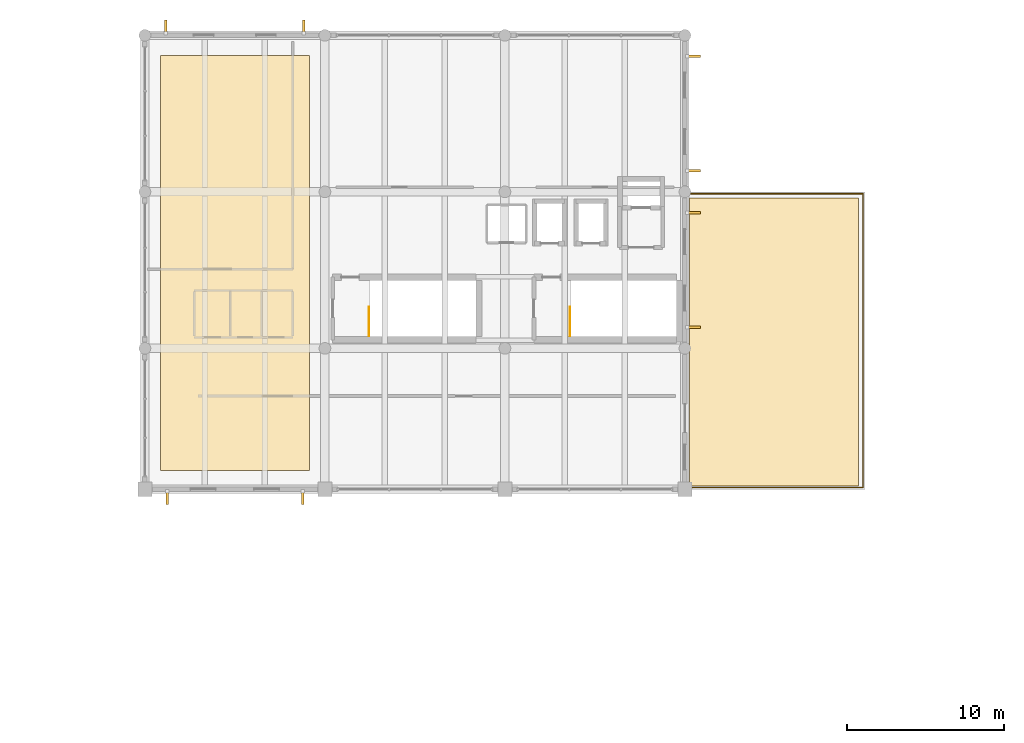
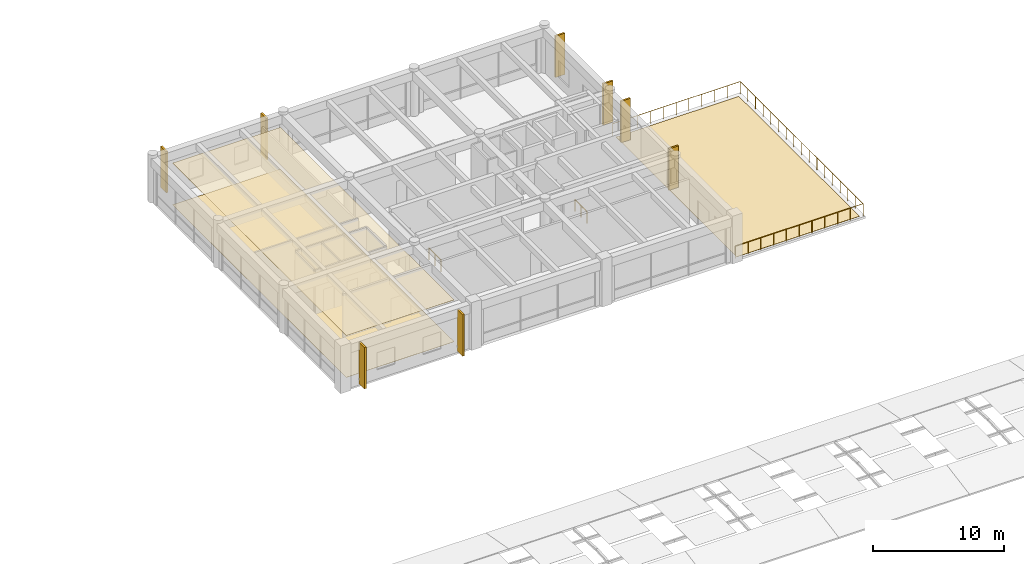
# One storey, part 27 of 27: 8 shading devices, 3 coverings, 3 railings.
"""IFC4 building model written with IfcOpenShell, lengths in metres."""

import ifcopenshell
import ifcopenshell.guid

model = None  # the IFC model being written
_history = None  # IfcOwnerHistory: only IFC2X3 demands one
_inside = {}  # id of a spatial element -> (the spatial element, [elements in it])
_under = {}  # id of a project, library or spatial element -> (it, [spatial elements below it])
_declared = {}  # id of a project -> (the project, [libraries it declares])
_typed = {}  # id of a type object -> (the type object, [elements of that type])
_made_of = {}  # id of a material, layer set ... -> (it, [elements and type objects made of it])


def new_model(schema):
    """Start an empty IFC model of exactly this schema.

    Asked for "IFC4X3", IfcOpenShell would pick the latest addendum, in which some entities
    have other attributes; the version numbers below select the first issue.
    IFC2X3 requires an IfcOwnerHistory on every rooted entity: one is made here for all.
    """
    global model, _history
    if schema == "IFC4X3":
        model = ifcopenshell.file(schema_version=(4, 3, 0, 0))
    else:
        model = ifcopenshell.file(schema=schema)
    _inside.clear()
    _under.clear()
    _declared.clear()
    _typed.clear()
    _made_of.clear()
    _history = None
    if model.schema == "IFC2X3":
        org = make("IfcOrganization", Name="unknown")
        user = make(
            "IfcPersonAndOrganization",
            ThePerson=make("IfcPerson", FamilyName="unknown"),
            TheOrganization=org,
        )
        app = make(
            "IfcApplication",
            ApplicationDeveloper=org,
            Version="unknown",
            ApplicationFullName="unknown",
            ApplicationIdentifier="unknown",
        )
        _history = make(
            "IfcOwnerHistory",
            OwningUser=user,
            OwningApplication=app,
            ChangeAction="ADDED",
            CreationDate=0,
        )
    return model


def make(cls, **values):
    """One entity of the class cls with the attributes given. An attribute that is None is left unset."""
    return model.create_entity(
        cls, **{name: value for name, value in values.items() if value is not None}
    )


def rooted(cls, **values):
    """An entity with a GlobalId (a new one), such as an element, a storey or a relation."""
    return make(cls, GlobalId=ifcopenshell.guid.new(), OwnerHistory=_history, **values)


def si_unit(unit_type, name, prefix=None):
    """IfcSIUnit, for example si_unit("LENGTHUNIT", "METRE", prefix="MILLI")."""
    return make("IfcSIUnit", UnitType=unit_type, Prefix=prefix, Name=name)


def assignment(units):
    """IfcUnitAssignment: the units of a project."""
    return None if units is None else make("IfcUnitAssignment", Units=units)


def point(xyz):
    """IfcCartesianPoint."""
    return None if xyz is None else make("IfcCartesianPoint", Coordinates=xyz)


def direction(xyz):
    """IfcDirection."""
    return None if xyz is None else make("IfcDirection", DirectionRatios=xyz)


def frame(location, z_axis=None, x_axis=None):
    """IfcAxis2Placement3D, a coordinate frame: its origin and axes. An axis left out is left unset."""
    return make(
        "IfcAxis2Placement3D",
        Location=point(location),
        Axis=direction(z_axis),
        RefDirection=direction(x_axis),
    )


def frame_2d(location, x_axis=None):
    """IfcAxis2Placement2D, a coordinate frame in the plane: its origin and x axis."""
    return make(
        "IfcAxis2Placement2D", Location=point(location), RefDirection=direction(x_axis)
    )


def origin():
    """The frame at (0, 0, 0) with its axes left unset."""
    return frame((0.0, 0.0, 0.0))


def origin_2d():
    """The frame at (0, 0) in the plane with its x axis left unset."""
    return frame_2d((0.0, 0.0))


def place(relative_to, where):
    """IfcLocalPlacement: puts the frame where relative to a parent placement (None: the world)."""
    return make(
        "IfcLocalPlacement", PlacementRelTo=relative_to, RelativePlacement=where
    )


def context(
    kind, dimensions, precision=None, world=None, true_north=None, identifier=None
):
    """IfcGeometricRepresentationContext, for example the 3D "Model" context."""
    return make(
        "IfcGeometricRepresentationContext",
        ContextIdentifier=identifier,
        ContextType=kind,
        CoordinateSpaceDimension=dimensions,
        Precision=precision,
        WorldCoordinateSystem=world,
        TrueNorth=true_north,
    )


def subcontext(parent, identifier, kind, view, scale=None):
    """IfcGeometricRepresentationSubContext, for example "Body" below "Model"."""
    return make(
        "IfcGeometricRepresentationSubContext",
        ContextIdentifier=identifier,
        ContextType=kind,
        ParentContext=parent,
        TargetScale=scale,
        TargetView=view,
    )


def project(units=None, contexts=None):
    """IfcProject with its units and contexts."""
    return rooted(
        "IfcProject",
        Name="project",
        RepresentationContexts=contexts,
        UnitsInContext=assignment(units),
    )


def spatial(cls, under=None, at=None, **own):
    """A site, building, storey or space (cls), placed at a placement, below another one or the project."""
    s = rooted(cls, ObjectPlacement=at, **own)
    if under is not None:
        _under.setdefault(under.id(), (under, []))[1].append(s)
    return s


def polyline(points):
    """IfcPolyline through the points."""
    return make("IfcPolyline", Points=[point(p) for p in points])


def profile(cls, at=None, kind="AREA", **sizes):
    """A parametric profile (cls). Its sizes go by their IFC names, for example OverallWidth=200.0."""
    return make(cls, ProfileType=kind, Position=at, **sizes)


def rectangle(**sizes):
    """IfcRectangleProfileDef."""
    return profile("IfcRectangleProfileDef", **sizes)


def circle(**sizes):
    """IfcCircleProfileDef."""
    return profile("IfcCircleProfileDef", **sizes)


def outline(outer, holes=None, kind="AREA"):
    """IfcArbitraryClosedProfileDef: a profile drawn as a closed curve; with holes, ...WithVoids."""
    if holes is None:
        return make("IfcArbitraryClosedProfileDef", ProfileType=kind, OuterCurve=outer)
    return make(
        "IfcArbitraryProfileDefWithVoids",
        ProfileType=kind,
        OuterCurve=outer,
        InnerCurves=holes,
    )


def extrude(swept, where, along, depth):
    """IfcExtrudedAreaSolid: the profile swept, set in the frame where, extruded along a direction by depth."""
    return make(
        "IfcExtrudedAreaSolid",
        SweptArea=swept,
        Position=where,
        ExtrudedDirection=direction(along),
        Depth=depth,
    )


def shape(context_of_items, identifier, shape_type, items):
    """IfcShapeRepresentation: the items that make up one representation, for example the "Body"."""
    return make(
        "IfcShapeRepresentation",
        ContextOfItems=context_of_items,
        RepresentationIdentifier=identifier,
        RepresentationType=shape_type,
        Items=items,
    )


def material(Name=None, Category=None):
    """IfcMaterial."""
    return make("IfcMaterial", Name=Name, Category=Category)


def layer(
    of_material, thickness, ventilated=None, Name=None, Category=None, Priority=None
):
    """IfcMaterialLayer: one layer of a wall or slab, of a material (None: an air gap)."""
    return make(
        "IfcMaterialLayer",
        Material=of_material,
        LayerThickness=thickness,
        IsVentilated=ventilated,
        Name=Name,
        Category=Category,
        Priority=Priority,
    )


def layer_set(layers, Name=None):
    """IfcMaterialLayerSet."""
    return make("IfcMaterialLayerSet", MaterialLayers=layers, LayerSetName=Name)


def made_of(thing, what):
    """Note that an element or type object is made of a material, layer set ...; save() writes the relation."""
    if what is not None:
        _made_of.setdefault(what.id(), (what, []))[1].append(thing)
    return thing


def type_object(cls, material=None, **own):
    """A type object (cls), such as IfcWallType, which elements share."""
    return made_of(rooted(cls, **own), material)


def element(
    cls,
    number,
    at=None,
    inside=None,
    cuts=None,
    type_object=None,
    material=None,
    context=None,
    identifier="Body",
    shape_type=None,
    held_by="IfcProductDefinitionShape",
    body=None,
    shapes=None,
    **own,
):
    """One element of the class cls, such as IfcWall. Its Tag is "e" and its number.

    at: its placement. inside: the storey or other place that contains it. cuts: it is an
    opening in that element (IfcRelVoidsElement). A single representation is given by context,
    identifier, shape_type and body (its items); several are given by shapes. held_by: the class
    of the entity that holds the representations. save() writes the other relations.
    """
    e = rooted(cls, Tag="e%d" % number, ObjectPlacement=at, **own)
    if body is not None:
        shapes = [shape(context, identifier, shape_type, body)]
    if shapes is not None:
        e.Representation = make(held_by, Representations=shapes)
    if inside is not None:
        _inside.setdefault(inside.id(), (inside, []))[1].append(e)
    if cuts is not None:
        rooted(
            "IfcRelVoidsElement", RelatingBuildingElement=cuts, RelatedOpeningElement=e
        )
    if type_object is not None:
        _typed.setdefault(type_object.id(), (type_object, []))[1].append(e)
    return made_of(e, material)


def aggregate(whole, parts):
    """IfcRelAggregates: a whole, such as a stair, and the parts it consists of."""
    return rooted("IfcRelAggregates", RelatingObject=whole, RelatedObjects=parts)


def save(model, path):
    """Write the relations noted so far, then the file.

    IfcRelAggregates (storeys below a building ...), IfcRelContainedInSpatialStructure (elements
    in a storey), IfcRelDefinesByType, IfcRelAssociatesMaterial and IfcRelDeclares: one each for
    every whole, place, type object, material and project.
    """
    for whole, parts in _under.values():
        aggregate(whole, parts)
    for where, things in _inside.values():
        rooted(
            "IfcRelContainedInSpatialStructure",
            RelatedElements=things,
            RelatingStructure=where,
        )
    for kind, things in _typed.values():
        rooted("IfcRelDefinesByType", RelatedObjects=things, RelatingType=kind)
    for what, things in _made_of.values():
        rooted("IfcRelAssociatesMaterial", RelatedObjects=things, RelatingMaterial=what)
    for by, libraries in _declared.values():
        rooted("IfcRelDeclares", RelatingContext=by, RelatedDefinitions=libraries)
    model.write(path)


model = new_model("IFC4")

# Units and contexts
model_context = context("Model", 3, precision=1e-05, world=origin(), true_north=direction((0.0, 1.0)))
body_context = subcontext(model_context, "Body", "Model", "MODEL_VIEW")
ifc_project = project(units=[si_unit("LENGTHUNIT", "METRE"), si_unit("AREAUNIT", "SQUARE_METRE"), si_unit("VOLUMEUNIT", "CUBIC_METRE"), si_unit("PLANEANGLEUNIT", "RADIAN"), si_unit("MASSUNIT", "GRAM", prefix="KILO")], contexts=[model_context])

# Site, building, storey
site_placement = place(None, origin())
site = spatial("IfcSite", under=ifc_project, at=site_placement, CompositionType="ELEMENT")
building_placement = place(site_placement, origin())
building = spatial("IfcBuilding", under=site, at=building_placement, Name="Ologun Quay Terminus", CompositionType="ELEMENT")
storey_placement = place(building_placement, frame((0.0, 0.0, 22.4599609375)))
storey = spatial("IfcBuildingStorey", under=building, at=storey_placement, Name="L05", CompositionType="ELEMENT", Elevation=22.4599609375)

# Covering
ifc_material_1 = material(Name="Gypsum Acoustic Stud")
ifc_layer_1 = layer(ifc_material_1, 0.02001953125)
ifc_layer_set_1 = layer_set([ifc_layer_1], Name="Gypsum Acoustic Stud")
covering_type_1 = type_object("IfcCoveringType", Name="Mineral-Fibre Acoustic Suspended Ceiling 20", PredefinedType="CEILING", material=ifc_layer_set_1)
covering_1_placement = place(storey_placement, frame((0.0, 0.0, 3.89013671875)))
element("IfcCovering", 1, at=covering_1_placement, inside=storey, type_object=covering_type_1, Name="CV-CL2 Acoustic Ceiling 12", PredefinedType="CEILING", context=body_context, shape_type="SweptSolid", body=[
    extrude(outline(polyline([(116.0, 87.0), (125.5, 87.0), (125.5, 113.5), (116.0, 113.5), (116.0, 87.0)])), origin(), (0.0, 0.0, 1.0), 0.02001953125),
])

# Shading devices
ifc_material_2 = material(Name="Concrete C40/50", Category="concrete")
ifc_layer_2 = layer(ifc_material_2, 0.159912109375)
ifc_layer_set_2 = layer_set([ifc_layer_2], Name="Concrete C40/50")
shading_device_type = type_object("IfcShadingDeviceType", Name="Operations Angled Precast Solar Fin 850x160", PredefinedType="USERDEFINED", material=ifc_layer_set_2)
for number, where, z_axis, x_axis, name in (
    (2, (116.419921875, 85.2451171875, 0.14990234375), (0.0, 0.0, 1.0), (1.0, 0.0, 0.0), "SD-05 Vertical Solar Fin WEW-EW-L05-1-1"),
    (3, (125.080078125, 85.2451171875, 0.14990234375), (0.0, 0.0, 1.0), (1.0, 0.0, 0.0), "SD-05 Vertical Solar Fin WEW-EW-L05-1-2"),
):
    element("IfcShadingDevice", number, at=place(storey_placement, frame(where, z_axis=z_axis, x_axis=x_axis)), inside=storey, type_object=shading_device_type, Name=name, ObjectType="SOLAR FIN", PredefinedType="USERDEFINED", context=body_context, shape_type="SweptSolid", body=[
        extrude(rectangle(XDim=0.159912109375, YDim=0.85009765625, at=origin_2d()), origin(), (0.0, 0.0, 1.0), 3.85009765625),
    ])
for number, where, z_axis, x_axis, name in (
    (4, (150.054931640625, 96.14501953125, 0.14990234375), (0.0, 0.0, 1.0), (1.0, 0.0, 0.0), "SD-05 Vertical Solar Fin WEW-EW-L05-5-1"),
    (5, (150.054931640625, 103.455078125, 0.14990234375), (0.0, 0.0, 1.0), (1.0, 0.0, 0.0), "SD-05 Vertical Solar Fin WEW-EW-L05-5-2"),
    (6, (150.054931640625, 106.14501953125, 0.14990234375), (0.0, 0.0, 1.0), (1.0, 0.0, 0.0), "SD-05 Vertical Solar Fin WEW-EW-L05-6-1"),
    (7, (150.054931640625, 113.455078125, 0.14990234375), (0.0, 0.0, 1.0), (1.0, 0.0, 0.0), "SD-05 Vertical Solar Fin WEW-EW-L05-6-2"),
):
    element("IfcShadingDevice", number, at=place(storey_placement, frame(where, z_axis=z_axis, x_axis=x_axis)), inside=storey, type_object=shading_device_type, Name=name, ObjectType="SOLAR FIN", PredefinedType="USERDEFINED", context=body_context, shape_type="SweptSolid", body=[
        extrude(rectangle(XDim=0.85009765625, YDim=0.159912109375, at=origin_2d()), origin(), (0.0, 0.0, 1.0), 3.85009765625),
    ])
for number, where, z_axis, x_axis, name in (
    (8, (116.344970703125, 115.35498046875, 0.14990234375), (0.0, 0.0, 1.0), (1.0, 0.0, 0.0), "SD-05 Vertical Solar Fin WEW-EW-L05-7-1"),
    (9, (125.155029296875, 115.35498046875, 0.14990234375), (0.0, 0.0, 1.0), (1.0, 0.0, 0.0), "SD-05 Vertical Solar Fin WEW-EW-L05-7-2"),
):
    element("IfcShadingDevice", number, at=place(storey_placement, frame(where, z_axis=z_axis, x_axis=x_axis)), inside=storey, type_object=shading_device_type, Name=name, ObjectType="SOLAR FIN", PredefinedType="USERDEFINED", context=body_context, shape_type="SweptSolid", body=[
        extrude(rectangle(XDim=0.159912109375, YDim=0.85009765625, at=origin_2d()), origin(), (0.0, 0.0, 1.0), 3.85009765625),
    ])

# Covering
ifc_material_3 = material(Name="Porcelain Tile")
ifc_layer_3 = layer(ifc_material_3, 0.02197265625)
ifc_layer_set_3 = layer_set([ifc_layer_3], Name="Porcelain Tile")
covering_type_2 = type_object("IfcCoveringType", Name="Porcelain Tile Pavilion & Sanitary Flooring 22", PredefinedType="FLOORING", material=ifc_layer_set_3)
covering_2_placement = place(storey_placement, origin())
element("IfcCovering", 10, at=covering_2_placement, inside=storey, type_object=covering_type_2, Name="CV-FL2 Interior Flooring 16", PredefinedType="FLOORING", context=body_context, shape_type="SweptSolid", body=[
    extrude(outline(polyline([(116.0, 87.0), (125.5, 87.0), (125.5, 113.5), (116.0, 113.5), (116.0, 87.0)])), origin(), (0.0, 0.0, 1.0), 0.02197265625),
])

# Railings
ifc_material_4 = material(Name="Steel S355", Category="steel")
railing_type_1 = type_object("IfcRailingType", Name="Stair & Landing Steel Guardrail 1100", PredefinedType="GUARDRAIL", material=ifc_material_4)
for number, where, name in (
    (11, (129.31005859375, 97.43994140625, 0.0), "GR-ST Stair Floor Edge Guard ST-E1 L05"),
    (12, (142.159912109375, 97.43994140625, 0.0), "GR-ST Stair Floor Edge Guard ST-E2 L05"),
):
    element("IfcRailing", number, at=place(storey_placement, frame(where)), inside=storey, type_object=railing_type_1, Name=name, PredefinedType="GUARDRAIL", context=body_context, shape_type="SweptSolid", body=[
        extrude(circle(Radius=0.02392578125, at=origin_2d()), frame((0.0, 0.0, 1.076171875), z_axis=(0.0, -1.0, 0.0), x_axis=(1.0, 0.0, 0.0)), (0.0, 0.0, 1.0), 1.829833984375),
        extrude(circle(Radius=0.02099609375, at=origin_2d()), origin(), (0.0, 0.0, 1.0), 1.052001953125),
        extrude(circle(Radius=0.02099609375, at=origin_2d()), frame((0.0, -0.9150390625, 0.0)), (0.0, 0.0, 1.0), 1.052001953125),
        extrude(circle(Radius=0.02099609375, at=origin_2d()), frame((0.0, -1.829833984375, 0.0)), (0.0, 0.0, 1.0), 1.052001953125),
    ])
ifc_material_5 = material(Name="Steel S355", Category="steel")
railing_type_2 = type_object("IfcRailingType", Name="Terrace & Quay Perimeter Guardrail 1150", PredefinedType="GUARDRAIL", material=ifc_material_5)
railing_placement = place(storey_placement, frame((149.6201171875, 85.919921875, 0.0)))
element("IfcRailing", 13, at=railing_placement, inside=storey, type_object=railing_type_2, Name="GR-TR Operations Staff Roof Terrace Guardrail L05", PredefinedType="GUARDRAIL", context=body_context, shape_type="SweptSolid", body=[
    extrude(circle(Radius=0.02392578125, at=origin_2d()), frame((0.0, 0.0, 1.1259765625), z_axis=(1.0, 0.0, 0.0), x_axis=(0.0, 1.0, 0.0)), (0.0, 0.0, 1.0), 11.259765625),
    extrude(circle(Radius=0.02392578125, at=origin_2d()), frame((11.259765625, 0.0, 1.1259765625), z_axis=(0.0, 1.0, 0.0), x_axis=(-1.0, 0.0, 0.0)), (0.0, 0.0, 1.0), 18.760009765625),
    extrude(circle(Radius=0.02392578125, at=origin_2d()), frame((11.259765625, 18.760009765625, 1.1259765625), z_axis=(-1.0, 0.0, 0.0), x_axis=(0.0, -1.0, 0.0)), (0.0, 0.0, 1.0), 11.259765625),
    extrude(circle(Radius=0.02099609375, at=origin_2d()), origin(), (0.0, 0.0, 1.0), 1.101806640625),
    extrude(circle(Radius=0.02099609375, at=origin_2d()), frame((1.1259765625, 0.0, 0.0)), (0.0, 0.0, 1.0), 1.101806640625),
    extrude(circle(Radius=0.02099609375, at=origin_2d()), frame((2.251953125, 0.0, 0.0)), (0.0, 0.0, 1.0), 1.101806640625),
    extrude(circle(Radius=0.02099609375, at=origin_2d()), frame((3.3779296875, 0.0, 0.0)), (0.0, 0.0, 1.0), 1.101806640625),
    extrude(circle(Radius=0.02099609375, at=origin_2d()), frame((4.50390625, 0.0, 0.0)), (0.0, 0.0, 1.0), 1.101806640625),
    extrude(circle(Radius=0.02099609375, at=origin_2d()), frame((5.6298828125, 0.0, 0.0)), (0.0, 0.0, 1.0), 1.101806640625),
    extrude(circle(Radius=0.02099609375, at=origin_2d()), frame((6.755859375, 0.0, 0.0)), (0.0, 0.0, 1.0), 1.101806640625),
    extrude(circle(Radius=0.02099609375, at=origin_2d()), frame((7.8818359375, 0.0, 0.0)), (0.0, 0.0, 1.0), 1.101806640625),
    extrude(circle(Radius=0.02099609375, at=origin_2d()), frame((9.0078125, 0.0, 0.0)), (0.0, 0.0, 1.0), 1.101806640625),
    extrude(circle(Radius=0.02099609375, at=origin_2d()), frame((10.1337890625, 0.0, 0.0)), (0.0, 0.0, 1.0), 1.101806640625),
    extrude(circle(Radius=0.02099609375, at=origin_2d()), frame((11.259765625, 0.0, 0.0)), (0.0, 0.0, 1.0), 1.101806640625),
    extrude(circle(Radius=0.02099609375, at=origin_2d()), frame((11.259765625, 1.172607421875, 0.0)), (0.0, 0.0, 1.0), 1.101806640625),
    extrude(circle(Radius=0.02099609375, at=origin_2d()), frame((11.259765625, 2.344970703125, 0.0)), (0.0, 0.0, 1.0), 1.101806640625),
    extrude(circle(Radius=0.02099609375, at=origin_2d()), frame((11.259765625, 3.517578125, 0.0)), (0.0, 0.0, 1.0), 1.101806640625),
    extrude(circle(Radius=0.02099609375, at=origin_2d()), frame((11.259765625, 4.68994140625, 0.0)), (0.0, 0.0, 1.0), 1.101806640625),
    extrude(circle(Radius=0.02099609375, at=origin_2d()), frame((11.259765625, 5.862548828125, 0.0)), (0.0, 0.0, 1.0), 1.101806640625),
    extrude(circle(Radius=0.02099609375, at=origin_2d()), frame((11.259765625, 7.034912109375, 0.0)), (0.0, 0.0, 1.0), 1.101806640625),
    extrude(circle(Radius=0.02099609375, at=origin_2d()), frame((11.259765625, 8.20751953125, 0.0)), (0.0, 0.0, 1.0), 1.101806640625),
    extrude(circle(Radius=0.02099609375, at=origin_2d()), frame((11.259765625, 9.3798828125, 0.0)), (0.0, 0.0, 1.0), 1.101806640625),
    extrude(circle(Radius=0.02099609375, at=origin_2d()), frame((11.259765625, 10.552490234375, 0.0)), (0.0, 0.0, 1.0), 1.101806640625),
    extrude(circle(Radius=0.02099609375, at=origin_2d()), frame((11.259765625, 11.72509765625, 0.0)), (0.0, 0.0, 1.0), 1.101806640625),
    extrude(circle(Radius=0.02099609375, at=origin_2d()), frame((11.259765625, 12.8974609375, 0.0)), (0.0, 0.0, 1.0), 1.101806640625),
    extrude(circle(Radius=0.02099609375, at=origin_2d()), frame((11.259765625, 14.070068359375, 0.0)), (0.0, 0.0, 1.0), 1.101806640625),
    extrude(circle(Radius=0.02099609375, at=origin_2d()), frame((11.259765625, 15.242431640625, 0.0)), (0.0, 0.0, 1.0), 1.101806640625),
    extrude(circle(Radius=0.02099609375, at=origin_2d()), frame((11.259765625, 16.4150390625, 0.0)), (0.0, 0.0, 1.0), 1.101806640625),
    extrude(circle(Radius=0.02099609375, at=origin_2d()), frame((11.259765625, 17.58740234375, 0.0)), (0.0, 0.0, 1.0), 1.101806640625),
    extrude(circle(Radius=0.02099609375, at=origin_2d()), frame((11.259765625, 18.760009765625, 0.0)), (0.0, 0.0, 1.0), 1.101806640625),
    extrude(circle(Radius=0.02099609375, at=origin_2d()), frame((10.1337890625, 18.760009765625, 0.0)), (0.0, 0.0, 1.0), 1.101806640625),
    extrude(circle(Radius=0.02099609375, at=origin_2d()), frame((9.0078125, 18.760009765625, 0.0)), (0.0, 0.0, 1.0), 1.101806640625),
    extrude(circle(Radius=0.02099609375, at=origin_2d()), frame((7.8818359375, 18.760009765625, 0.0)), (0.0, 0.0, 1.0), 1.101806640625),
    extrude(circle(Radius=0.02099609375, at=origin_2d()), frame((6.755859375, 18.760009765625, 0.0)), (0.0, 0.0, 1.0), 1.101806640625),
    extrude(circle(Radius=0.02099609375, at=origin_2d()), frame((5.6298828125, 18.760009765625, 0.0)), (0.0, 0.0, 1.0), 1.101806640625),
    extrude(circle(Radius=0.02099609375, at=origin_2d()), frame((4.50390625, 18.760009765625, 0.0)), (0.0, 0.0, 1.0), 1.101806640625),
    extrude(circle(Radius=0.02099609375, at=origin_2d()), frame((3.3779296875, 18.760009765625, 0.0)), (0.0, 0.0, 1.0), 1.101806640625),
    extrude(circle(Radius=0.02099609375, at=origin_2d()), frame((2.251953125, 18.760009765625, 0.0)), (0.0, 0.0, 1.0), 1.101806640625),
    extrude(circle(Radius=0.02099609375, at=origin_2d()), frame((1.1259765625, 18.760009765625, 0.0)), (0.0, 0.0, 1.0), 1.101806640625),
    extrude(circle(Radius=0.02099609375, at=origin_2d()), frame((0.0, 18.760009765625, 0.0)), (0.0, 0.0, 1.0), 1.101806640625),
])

# Covering
ifc_material_6 = material(Name="Waterproof Membrane")
ifc_layer_4 = layer(ifc_material_6, 0.01806640625)
ifc_layer_set_4 = layer_set([ifc_layer_4], Name="Waterproof Membrane")
covering_type_3 = type_object("IfcCoveringType", Name="Two-Ply Polymeric Waterproof Roof Membrane 18", PredefinedType="ROOFING", material=ifc_layer_set_4)
covering_3_placement = place(storey_placement, origin())
element("IfcCovering", 14, at=covering_3_placement, inside=storey, type_object=covering_type_3, Name="CV-RFM Terrace Waterproof Membrane 4", PredefinedType="ROOFING", context=body_context, shape_type="SweptSolid", body=[
    extrude(outline(polyline([(149.800048828125, 86.0), (160.60009765625, 86.0), (160.60009765625, 104.39990234375), (149.800048828125, 104.39990234375), (149.800048828125, 86.0)])), origin(), (0.0, 0.0, 1.0), 0.01806640625),
])

save(model, "model.ifc")
